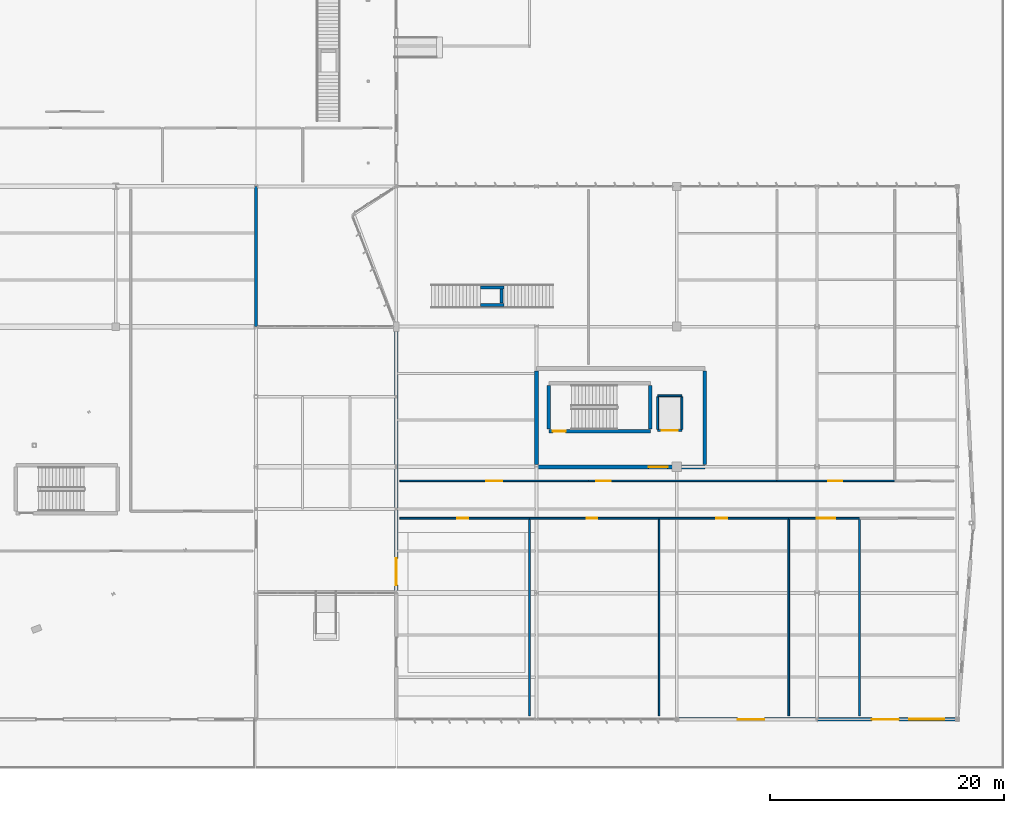
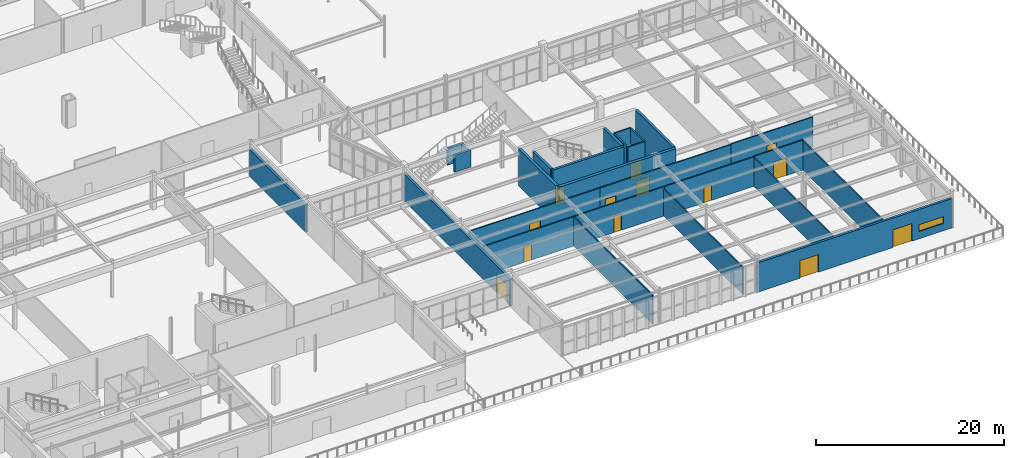
# One storey, part 167 of 199: 27 walls, 13 doors, 1 window, 14 openings.
"""IFC4 building model written with IfcOpenShell, lengths in metres."""

import ifcopenshell
import ifcopenshell.guid

model = None  # the IFC model being written
_history = None  # IfcOwnerHistory: only IFC2X3 demands one
_inside = {}  # id of a spatial element -> (the spatial element, [elements in it])
_under = {}  # id of a project, library or spatial element -> (it, [spatial elements below it])
_declared = {}  # id of a project -> (the project, [libraries it declares])
_typed = {}  # id of a type object -> (the type object, [elements of that type])
_made_of = {}  # id of a material, layer set ... -> (it, [elements and type objects made of it])


def new_model(schema):
    """Start an empty IFC model of exactly this schema.

    Asked for "IFC4X3", IfcOpenShell would pick the latest addendum, in which some entities
    have other attributes; the version numbers below select the first issue.
    IFC2X3 requires an IfcOwnerHistory on every rooted entity: one is made here for all.
    """
    global model, _history
    if schema == "IFC4X3":
        model = ifcopenshell.file(schema_version=(4, 3, 0, 0))
    else:
        model = ifcopenshell.file(schema=schema)
    _inside.clear()
    _under.clear()
    _declared.clear()
    _typed.clear()
    _made_of.clear()
    _history = None
    if model.schema == "IFC2X3":
        org = make("IfcOrganization", Name="unknown")
        user = make(
            "IfcPersonAndOrganization",
            ThePerson=make("IfcPerson", FamilyName="unknown"),
            TheOrganization=org,
        )
        app = make(
            "IfcApplication",
            ApplicationDeveloper=org,
            Version="unknown",
            ApplicationFullName="unknown",
            ApplicationIdentifier="unknown",
        )
        _history = make(
            "IfcOwnerHistory",
            OwningUser=user,
            OwningApplication=app,
            ChangeAction="ADDED",
            CreationDate=0,
        )
    return model


def make(cls, **values):
    """One entity of the class cls with the attributes given. An attribute that is None is left unset."""
    return model.create_entity(
        cls, **{name: value for name, value in values.items() if value is not None}
    )


def rooted(cls, **values):
    """An entity with a GlobalId (a new one), such as an element, a storey or a relation."""
    return make(cls, GlobalId=ifcopenshell.guid.new(), OwnerHistory=_history, **values)


def si_unit(unit_type, name, prefix=None):
    """IfcSIUnit, for example si_unit("LENGTHUNIT", "METRE", prefix="MILLI")."""
    return make("IfcSIUnit", UnitType=unit_type, Prefix=prefix, Name=name)


def assignment(units):
    """IfcUnitAssignment: the units of a project."""
    return None if units is None else make("IfcUnitAssignment", Units=units)


def point(xyz):
    """IfcCartesianPoint."""
    return None if xyz is None else make("IfcCartesianPoint", Coordinates=xyz)


def direction(xyz):
    """IfcDirection."""
    return None if xyz is None else make("IfcDirection", DirectionRatios=xyz)


def frame(location, z_axis=None, x_axis=None):
    """IfcAxis2Placement3D, a coordinate frame: its origin and axes. An axis left out is left unset."""
    return make(
        "IfcAxis2Placement3D",
        Location=point(location),
        Axis=direction(z_axis),
        RefDirection=direction(x_axis),
    )


def frame_2d(location, x_axis=None):
    """IfcAxis2Placement2D, a coordinate frame in the plane: its origin and x axis."""
    return make(
        "IfcAxis2Placement2D", Location=point(location), RefDirection=direction(x_axis)
    )


def origin():
    """The frame at (0, 0, 0) with its axes left unset."""
    return frame((0.0, 0.0, 0.0))


def place(relative_to, where):
    """IfcLocalPlacement: puts the frame where relative to a parent placement (None: the world)."""
    return make(
        "IfcLocalPlacement", PlacementRelTo=relative_to, RelativePlacement=where
    )


def context(
    kind, dimensions, precision=None, world=None, true_north=None, identifier=None
):
    """IfcGeometricRepresentationContext, for example the 3D "Model" context."""
    return make(
        "IfcGeometricRepresentationContext",
        ContextIdentifier=identifier,
        ContextType=kind,
        CoordinateSpaceDimension=dimensions,
        Precision=precision,
        WorldCoordinateSystem=world,
        TrueNorth=true_north,
    )


def subcontext(parent, identifier, kind, view, scale=None):
    """IfcGeometricRepresentationSubContext, for example "Body" below "Model"."""
    return make(
        "IfcGeometricRepresentationSubContext",
        ContextIdentifier=identifier,
        ContextType=kind,
        ParentContext=parent,
        TargetScale=scale,
        TargetView=view,
    )


def project(units=None, contexts=None):
    """IfcProject with its units and contexts."""
    return rooted(
        "IfcProject",
        Name="project",
        RepresentationContexts=contexts,
        UnitsInContext=assignment(units),
    )


def spatial(cls, under=None, at=None, **own):
    """A site, building, storey or space (cls), placed at a placement, below another one or the project."""
    s = rooted(cls, ObjectPlacement=at, **own)
    if under is not None:
        _under.setdefault(under.id(), (under, []))[1].append(s)
    return s


def profile(cls, at=None, kind="AREA", **sizes):
    """A parametric profile (cls). Its sizes go by their IFC names, for example OverallWidth=200.0."""
    return make(cls, ProfileType=kind, Position=at, **sizes)


def rectangle(**sizes):
    """IfcRectangleProfileDef."""
    return profile("IfcRectangleProfileDef", **sizes)


def extrude(swept, where, along, depth):
    """IfcExtrudedAreaSolid: the profile swept, set in the frame where, extruded along a direction by depth."""
    return make(
        "IfcExtrudedAreaSolid",
        SweptArea=swept,
        Position=where,
        ExtrudedDirection=direction(along),
        Depth=depth,
    )


def shape(context_of_items, identifier, shape_type, items):
    """IfcShapeRepresentation: the items that make up one representation, for example the "Body"."""
    return make(
        "IfcShapeRepresentation",
        ContextOfItems=context_of_items,
        RepresentationIdentifier=identifier,
        RepresentationType=shape_type,
        Items=items,
    )


def material(Name=None, Category=None):
    """IfcMaterial."""
    return make("IfcMaterial", Name=Name, Category=Category)


def layer(
    of_material, thickness, ventilated=None, Name=None, Category=None, Priority=None
):
    """IfcMaterialLayer: one layer of a wall or slab, of a material (None: an air gap)."""
    return make(
        "IfcMaterialLayer",
        Material=of_material,
        LayerThickness=thickness,
        IsVentilated=ventilated,
        Name=Name,
        Category=Category,
        Priority=Priority,
    )


def layer_set(layers, Name=None):
    """IfcMaterialLayerSet."""
    return make("IfcMaterialLayerSet", MaterialLayers=layers, LayerSetName=Name)


def made_of(thing, what):
    """Note that an element or type object is made of a material, layer set ...; save() writes the relation."""
    if what is not None:
        _made_of.setdefault(what.id(), (what, []))[1].append(thing)
    return thing


def type_object(cls, material=None, **own):
    """A type object (cls), such as IfcWallType, which elements share."""
    return made_of(rooted(cls, **own), material)


def element(
    cls,
    number,
    at=None,
    inside=None,
    cuts=None,
    type_object=None,
    material=None,
    context=None,
    identifier="Body",
    shape_type=None,
    held_by="IfcProductDefinitionShape",
    body=None,
    shapes=None,
    **own,
):
    """One element of the class cls, such as IfcWall. Its Tag is "e" and its number.

    at: its placement. inside: the storey or other place that contains it. cuts: it is an
    opening in that element (IfcRelVoidsElement). A single representation is given by context,
    identifier, shape_type and body (its items); several are given by shapes. held_by: the class
    of the entity that holds the representations. save() writes the other relations.
    """
    e = rooted(cls, Tag="e%d" % number, ObjectPlacement=at, **own)
    if body is not None:
        shapes = [shape(context, identifier, shape_type, body)]
    if shapes is not None:
        e.Representation = make(held_by, Representations=shapes)
    if inside is not None:
        _inside.setdefault(inside.id(), (inside, []))[1].append(e)
    if cuts is not None:
        rooted(
            "IfcRelVoidsElement", RelatingBuildingElement=cuts, RelatedOpeningElement=e
        )
    if type_object is not None:
        _typed.setdefault(type_object.id(), (type_object, []))[1].append(e)
    return made_of(e, material)


def fill(opening, filler):
    """IfcRelFillsElement: the door or window that sits in an opening."""
    return rooted(
        "IfcRelFillsElement",
        RelatingOpeningElement=opening,
        RelatedBuildingElement=filler,
    )


def aggregate(whole, parts):
    """IfcRelAggregates: a whole, such as a stair, and the parts it consists of."""
    return rooted("IfcRelAggregates", RelatingObject=whole, RelatedObjects=parts)


def save(model, path):
    """Write the relations noted so far, then the file.

    IfcRelAggregates (storeys below a building ...), IfcRelContainedInSpatialStructure (elements
    in a storey), IfcRelDefinesByType, IfcRelAssociatesMaterial and IfcRelDeclares: one each for
    every whole, place, type object, material and project.
    """
    for whole, parts in _under.values():
        aggregate(whole, parts)
    for where, things in _inside.values():
        rooted(
            "IfcRelContainedInSpatialStructure",
            RelatedElements=things,
            RelatingStructure=where,
        )
    for kind, things in _typed.values():
        rooted("IfcRelDefinesByType", RelatedObjects=things, RelatingType=kind)
    for what, things in _made_of.values():
        rooted("IfcRelAssociatesMaterial", RelatedObjects=things, RelatingMaterial=what)
    for by, libraries in _declared.values():
        rooted("IfcRelDeclares", RelatingContext=by, RelatedDefinitions=libraries)
    model.write(path)


model = new_model("IFC4")

# Units and contexts
model_context = context("Model", 3, precision=1e-05, world=origin(), true_north=direction((0.0, 1.0)))
body_context = subcontext(model_context, "Body", "Model", "MODEL_VIEW")
ifc_project = project(units=[si_unit("LENGTHUNIT", "METRE"), si_unit("AREAUNIT", "SQUARE_METRE"), si_unit("VOLUMEUNIT", "CUBIC_METRE"), si_unit("PLANEANGLEUNIT", "RADIAN"), si_unit("MASSUNIT", "GRAM", prefix="KILO")], contexts=[model_context])

# Site, building, storey
site_placement = place(None, origin())
site = spatial("IfcSite", under=ifc_project, at=site_placement, CompositionType="ELEMENT")
building_placement = place(site_placement, origin())
building = spatial("IfcBuilding", under=site, at=building_placement, Name="Tarnwether General Hospital", CompositionType="ELEMENT")
storey_placement = place(building_placement, origin())
storey = spatial("IfcBuildingStorey", under=building, at=storey_placement, Name="L00", CompositionType="ELEMENT", Elevation=0.0)

# Wall, openings, doors, window
ifc_material_1 = material(Name="Precast concrete 40 MPa", Category="concrete")
ifc_layer_1 = layer(ifc_material_1, 0.280029296875)
ifc_layer_set_1 = layer_set([ifc_layer_1], Name="Precast concrete 40 MPa")
wall_type_1 = type_object("IfcWallType", Name="WL-EX280", PredefinedType="STANDARD", material=ifc_layer_set_1)
wall_1_placement = place(storey_placement, frame((192.0, 0.0, 0.0), z_axis=(0.0, 0.0, 1.0), x_axis=(-1.0, 0.0, 0.0)))
wall_1 = element("IfcWall", 1, at=wall_1_placement, inside=storey, type_object=wall_type_1, Name="L00 South Street Wall EW-L00-0289", PredefinedType="STANDARD", context=body_context, shape_type="SweptSolid", body=[
    extrude(rectangle(XDim=24.0, YDim=0.280029296875, at=frame_2d((12.0, 0.0))), origin(), (0.0, 0.0, 1.0), 3.822998046875),
])
opening_1_placement = place(wall_1_placement, frame((5.0, 0.0, 0.0)))
opening_1 = element("IfcOpeningElement", 2, at=opening_1_placement, cuts=wall_1, Name="Opening ED-02", PredefinedType="OPENING", context=body_context, shape_type="SweptSolid", body=[
    extrude(rectangle(XDim=2.300048828125, YDim=2.300048828125, at=frame_2d((1.14990234375, 1.14990234375))), frame((0.0, 0.14990234375, 0.0), z_axis=(0.0, -1.0, 0.0), x_axis=(1.0, 0.0, 0.0)), (0.0, 0.0, 1.0), 0.300048828125),
])
opening_2_placement = place(wall_1_placement, frame((16.5, 0.0, 0.0)))
opening_2 = element("IfcOpeningElement", 3, at=opening_2_placement, cuts=wall_1, Name="Opening ED-02", PredefinedType="OPENING", context=body_context, shape_type="SweptSolid", body=[
    extrude(rectangle(XDim=2.300048828125, YDim=2.300048828125, at=frame_2d((1.14990234375, 1.14990234375))), frame((0.0, 0.14990234375, 0.0), z_axis=(0.0, -1.0, 0.0), x_axis=(1.0, 0.0, 0.0)), (0.0, 0.0, 1.0), 0.300048828125),
])
opening_3_placement = place(wall_1_placement, frame((1.10009765625, 0.0, 0.949951171875)))
opening_3 = element("IfcOpeningElement", 4, at=opening_3_placement, cuts=wall_1, Name="Opening W-20", PredefinedType="OPENING", context=body_context, shape_type="SweptSolid", body=[
    extrude(rectangle(XDim=3.0, YDim=0.89990234375, at=frame_2d((1.5, 0.449951171875))), frame((0.0, 0.14990234375, 0.0), z_axis=(0.0, -1.0, 0.0), x_axis=(1.0, 0.0, 0.0)), (0.0, 0.0, 1.0), 0.300048828125),
])
ifc_material_2 = material(Name="Anodised aluminium", Category="aluminium")
door_type_1 = type_object("IfcDoorType", Name="DR-EX02", OperationType="NOTDEFINED", PredefinedType="DOOR", material=ifc_material_2)
door_1_placement = place(opening_1_placement, origin())
door_1 = element("IfcDoor", 5, at=door_1_placement, inside=storey, type_object=door_type_1, Name="L00 South Final Exit A ED-L00-0019", OperationType="DOUBLE_DOOR_SINGLE_SWING", OverallHeight=2.300048828125, OverallWidth=2.300048828125, PredefinedType="DOOR", context=body_context, shape_type="SweptSolid", body=[
    extrude(rectangle(XDim=2.300048828125, YDim=2.300048828125, at=frame_2d((1.14990234375, 1.14990234375))), frame((0.0, 0.02490234375, 0.0), z_axis=(0.0, -1.0, 0.0), x_axis=(1.0, 0.0, 0.0)), (0.0, 0.0, 1.0), 0.050048828125),
])
fill(opening_1, door_1)
door_2_placement = place(opening_2_placement, origin())
door_2 = element("IfcDoor", 6, at=door_2_placement, inside=storey, type_object=door_type_1, Name="L00 South Final Exit B ED-L00-0020", OperationType="DOUBLE_DOOR_SINGLE_SWING", OverallHeight=2.300048828125, OverallWidth=2.300048828125, PredefinedType="DOOR", context=body_context, shape_type="SweptSolid", body=[
    extrude(rectangle(XDim=2.300048828125, YDim=2.300048828125, at=frame_2d((1.14990234375, 1.14990234375))), frame((0.0, 0.02490234375, 0.0), z_axis=(0.0, -1.0, 0.0), x_axis=(1.0, 0.0, 0.0)), (0.0, 0.0, 1.0), 0.050048828125),
])
fill(opening_2, door_2)
ifc_material_3 = material(Name="Double glazed low-E glass", Category="glass")
window_type = type_object("IfcWindowType", Name="WN-20", PartitioningType="TRIPLE_PANEL_VERTICAL", PredefinedType="WINDOW", material=ifc_material_3)
window_placement = place(opening_3_placement, origin())
window = element("IfcWindow", 7, at=window_placement, inside=storey, type_object=window_type, Name="Window WN-L00-0058", OverallHeight=0.89990234375, OverallWidth=3.0, PartitioningType="TRIPLE_PANEL_VERTICAL", PredefinedType="WINDOW", context=body_context, shape_type="SweptSolid", body=[
    extrude(rectangle(XDim=3.0, YDim=0.89990234375, at=frame_2d((1.5, 0.449951171875))), frame((0.0, 0.030029296875, 0.0), z_axis=(0.0, -1.0, 0.0), x_axis=(1.0, 0.0, 0.0)), (0.0, 0.0, 1.0), 0.06005859375),
])
fill(opening_3, window)

# Wall, opening, door
wall_2_placement = place(storey_placement, frame((144.0, 10.800048828125, 0.0), z_axis=(0.0, 0.0, 1.0), x_axis=(0.0, 1.0, 0.0)))
wall_2 = element("IfcWall", 8, at=wall_2_placement, inside=storey, type_object=wall_type_1, Name="L00 V6 West Court Wall EW-L00-0297", PredefinedType="STANDARD", context=body_context, shape_type="SweptSolid", body=[
    extrude(rectangle(XDim=22.800048828125, YDim=0.280029296875, at=frame_2d((11.39990234375, 0.0))), origin(), (0.0, 0.0, 1.0), 3.530029296875),
])
opening_4_placement = place(wall_2_placement, frame((0.675048828125, 0.0, 0.0)))
opening_4 = element("IfcOpeningElement", 9, at=opening_4_placement, cuts=wall_2, Name="Opening ED-02", PredefinedType="OPENING", context=body_context, shape_type="SweptSolid", body=[
    extrude(rectangle(XDim=2.300048828125, YDim=2.300048828125, at=frame_2d((1.14990234375, 1.14990234375))), frame((0.0, 0.14990234375, 0.0), z_axis=(0.0, -1.0, 0.0), x_axis=(1.0, 0.0, 0.0)), (0.0, 0.0, 1.0), 0.300048828125),
])
door_3_placement = place(opening_4_placement, origin())
door_3 = element("IfcDoor", 10, at=door_3_placement, inside=storey, type_object=door_type_1, Name="L00 Public Passage East Portal Door ED-L00-0028", OperationType="DOUBLE_DOOR_SINGLE_SWING", OverallHeight=2.300048828125, OverallWidth=2.300048828125, PredefinedType="DOOR", context=body_context, shape_type="SweptSolid", body=[
    extrude(rectangle(XDim=2.300048828125, YDim=2.300048828125, at=frame_2d((1.14990234375, 1.14990234375))), frame((0.0, 0.02490234375, 0.0), z_axis=(0.0, -1.0, 0.0), x_axis=(1.0, 0.0, 0.0)), (0.0, 0.0, 1.0), 0.050048828125),
])
fill(opening_4, door_3)

# Wall
wall_3_placement = place(storey_placement, frame((132.0, 45.60009765625, 0.0), z_axis=(0.0, 0.0, 1.0), x_axis=(0.0, -1.0, 0.0)))
element("IfcWall", 11, at=wall_3_placement, inside=storey, type_object=wall_type_1, Name="L00 V4 East Court Wall EW-L00-0298", PredefinedType="STANDARD", context=body_context, shape_type="SweptSolid", body=[
    extrude(rectangle(XDim=12.0, YDim=0.280029296875, at=frame_2d((6.0, 0.0))), origin(), (0.0, 0.0, 1.0), 3.530029296875),
])

# Wall, opening, door
ifc_material_4 = material(Name="Gypsum plasterboard")
ifc_layer_2 = layer(ifc_material_4, 0.139892578125)
ifc_layer_set_2 = layer_set([ifc_layer_2], Name="Gypsum plasterboard")
wall_type_2 = type_object("IfcWallType", Name="WL-PT140", PredefinedType="PARTITIONING", material=ifc_layer_set_2)
wall_4_placement = place(storey_placement, frame((144.300048828125, 17.199951171875, 0.0), z_axis=(0.0, 0.0, 1.0), x_axis=(1.0, 0.0, 0.0)))
wall_4 = element("IfcWall", 12, at=wall_4_placement, inside=storey, type_object=wall_type_2, Name="Interior Partition PT-L00-0130", PredefinedType="PARTITIONING", context=body_context, shape_type="SweptSolid", body=[
    extrude(rectangle(XDim=11.093994140625, YDim=0.139892578125, at=frame_2d((5.546875, 0.0))), origin(), (0.0, 0.0, 1.0), 3.818115234375),
])
opening_5_placement = place(wall_4_placement, frame((4.89697265625, 0.0, 0.0)))
opening_5 = element("IfcOpeningElement", 13, at=opening_5_placement, cuts=wall_4, Name="Opening D-10", PredefinedType="OPENING", context=body_context, shape_type="SweptSolid", body=[
    extrude(rectangle(XDim=0.9599609375, YDim=2.06005859375, at=frame_2d((0.47998046875, 1.030029296875))), frame((0.0, 0.080078125, 0.0), z_axis=(0.0, -1.0, 0.0), x_axis=(1.0, 0.0, 0.0)), (0.0, 0.0, 1.0), 0.159912109375),
])
ifc_material_5 = material(Name="Anodised aluminium", Category="aluminium")
door_type_2 = type_object("IfcDoorType", Name="DR-IN10", OperationType="NOTDEFINED", PredefinedType="DOOR", material=ifc_material_5)
door_4_placement = place(opening_5_placement, origin())
door_4 = element("IfcDoor", 14, at=door_4_placement, inside=storey, type_object=door_type_2, Name="Interior Door DR-L00-0073", OperationType="SINGLE_SWING_LEFT", OverallHeight=2.06005859375, OverallWidth=0.9599609375, PredefinedType="DOOR", context=body_context, shape_type="SweptSolid", body=[
    extrude(rectangle(XDim=0.9599609375, YDim=2.06005859375, at=frame_2d((0.47998046875, 1.030029296875))), frame((0.0, 0.02490234375, 0.0), z_axis=(0.0, -1.0, 0.0), x_axis=(1.0, 0.0, 0.0)), (0.0, 0.0, 1.0), 0.050048828125),
])
fill(opening_5, door_4)

# Wall
wall_5_placement = place(storey_placement, frame((155.39404296875, 0.300048828125, 0.0), z_axis=(0.0, 0.0, 1.0), x_axis=(0.0, 1.0, 0.0)))
element("IfcWall", 15, at=wall_5_placement, inside=storey, type_object=wall_type_2, Name="Interior Partition PT-L00-0131", PredefinedType="PARTITIONING", context=body_context, shape_type="SweptSolid", body=[
    extrude(rectangle(XDim=16.89990234375, YDim=0.139892578125, at=frame_2d((8.449951171875, 0.0))), origin(), (0.0, 0.0, 1.0), 3.780029296875),
])

# Wall, opening, door
wall_6_placement = place(storey_placement, frame((155.39404296875, 17.199951171875, 0.0), z_axis=(0.0, 0.0, 1.0), x_axis=(1.0, 0.0, 0.0)))
wall_6 = element("IfcWall", 16, at=wall_6_placement, inside=storey, type_object=wall_type_2, Name="Interior Partition PT-L00-0132", PredefinedType="PARTITIONING", context=body_context, shape_type="SweptSolid", body=[
    extrude(rectangle(XDim=11.093017578125, YDim=0.139892578125, at=frame_2d((5.54638671875, 0.0))), origin(), (0.0, 0.0, 1.0), 3.822998046875),
])
opening_6_placement = place(wall_6_placement, frame((4.89697265625, 0.0, 0.0)))
opening_6 = element("IfcOpeningElement", 17, at=opening_6_placement, cuts=wall_6, Name="Opening D-11", PredefinedType="OPENING", context=body_context, shape_type="SweptSolid", body=[
    extrude(rectangle(XDim=0.89990234375, YDim=2.10009765625, at=frame_2d((0.449951171875, 1.050048828125))), frame((0.0, 0.080078125, 0.0), z_axis=(0.0, -1.0, 0.0), x_axis=(1.0, 0.0, 0.0)), (0.0, 0.0, 1.0), 0.159912109375),
])
ifc_material_6 = material(Name="Anodised aluminium", Category="aluminium")
door_type_3 = type_object("IfcDoorType", Name="DR-IN11", OperationType="NOTDEFINED", PredefinedType="DOOR", material=ifc_material_6)
door_5_placement = place(opening_6_placement, origin())
door_5 = element("IfcDoor", 18, at=door_5_placement, inside=storey, type_object=door_type_3, Name="Interior Door DR-L00-0074", OperationType="SINGLE_SWING_RIGHT", OverallHeight=2.10009765625, OverallWidth=0.89990234375, PredefinedType="DOOR", context=body_context, shape_type="SweptSolid", body=[
    extrude(rectangle(XDim=0.89990234375, YDim=2.10009765625, at=frame_2d((0.449951171875, 1.050048828125))), frame((0.0, 0.02490234375, 0.0), z_axis=(0.0, -1.0, 0.0), x_axis=(1.0, 0.0, 0.0)), (0.0, 0.0, 1.0), 0.050048828125),
])
fill(opening_6, door_5)

# Wall
wall_7_placement = place(storey_placement, frame((166.487060546875, 0.300048828125, 0.0), z_axis=(0.0, 0.0, 1.0), x_axis=(0.0, 1.0, 0.0)))
element("IfcWall", 19, at=wall_7_placement, inside=storey, type_object=wall_type_2, Name="Interior Partition PT-L00-0133", PredefinedType="PARTITIONING", context=body_context, shape_type="SweptSolid", body=[
    extrude(rectangle(XDim=16.89990234375, YDim=0.139892578125, at=frame_2d((8.449951171875, 0.0))), origin(), (0.0, 0.0, 1.0), 3.530029296875),
])

# Wall, opening, door
wall_8_placement = place(storey_placement, frame((166.487060546875, 17.199951171875, 0.0), z_axis=(0.0, 0.0, 1.0), x_axis=(1.0, 0.0, 0.0)))
wall_8 = element("IfcWall", 20, at=wall_8_placement, inside=storey, type_object=wall_type_2, Name="Interior Partition PT-L00-0134", PredefinedType="PARTITIONING", context=body_context, shape_type="SweptSolid", body=[
    extrude(rectangle(XDim=11.093994140625, YDim=0.139892578125, at=frame_2d((5.546875, 0.0))), origin(), (0.0, 0.0, 1.0), 3.827880859375),
])
opening_7_placement = place(wall_8_placement, frame((4.89697265625, 0.0, 0.0)))
opening_7 = element("IfcOpeningElement", 21, at=opening_7_placement, cuts=wall_8, Name="Opening D-12", PredefinedType="OPENING", context=body_context, shape_type="SweptSolid", body=[
    extrude(rectangle(XDim=0.919921875, YDim=2.0400390625, at=frame_2d((0.4599609375, 1.02001953125))), frame((0.0, 0.080078125, 0.0), z_axis=(0.0, -1.0, 0.0), x_axis=(1.0, 0.0, 0.0)), (0.0, 0.0, 1.0), 0.159912109375),
])
ifc_material_7 = material(Name="Anodised aluminium", Category="aluminium")
door_type_4 = type_object("IfcDoorType", Name="DR-IN12", OperationType="NOTDEFINED", PredefinedType="DOOR", material=ifc_material_7)
door_6_placement = place(opening_7_placement, origin())
door_6 = element("IfcDoor", 22, at=door_6_placement, inside=storey, type_object=door_type_4, Name="Interior Door DR-L00-0075", OperationType="SINGLE_SWING_LEFT", OverallHeight=2.0400390625, OverallWidth=0.919921875, PredefinedType="DOOR", context=body_context, shape_type="SweptSolid", body=[
    extrude(rectangle(XDim=0.919921875, YDim=2.0400390625, at=frame_2d((0.4599609375, 1.02001953125))), frame((0.0, 0.02490234375, 0.0), z_axis=(0.0, -1.0, 0.0), x_axis=(1.0, 0.0, 0.0)), (0.0, 0.0, 1.0), 0.050048828125),
])
fill(opening_7, door_6)

# Wall
wall_9_placement = place(storey_placement, frame((177.5810546875, 0.300048828125, 0.0), z_axis=(0.0, 0.0, 1.0), x_axis=(0.0, 1.0, 0.0)))
element("IfcWall", 23, at=wall_9_placement, inside=storey, type_object=wall_type_2, Name="Interior Partition PT-L00-0135", PredefinedType="PARTITIONING", context=body_context, shape_type="SweptSolid", body=[
    extrude(rectangle(XDim=16.89990234375, YDim=0.139892578125, at=frame_2d((8.449951171875, 0.0))), origin(), (0.0, 0.0, 1.0), 3.738037109375),
])

# Wall, opening, door
wall_10_placement = place(storey_placement, frame((177.5810546875, 17.199951171875, 0.0), z_axis=(0.0, 0.0, 1.0), x_axis=(1.0, 0.0, 0.0)))
wall_10 = element("IfcWall", 24, at=wall_10_placement, inside=storey, type_object=wall_type_2, Name="Interior Partition PT-L00-0136", PredefinedType="PARTITIONING", context=body_context, shape_type="SweptSolid", body=[
    extrude(rectangle(XDim=6.051025390625, YDim=0.139892578125, at=frame_2d((3.025390625, 0.0))), origin(), (0.0, 0.0, 1.0), 3.89697265625),
])
opening_8_placement = place(wall_10_placement, frame((2.3759765625, 0.0, 0.0)))
opening_8 = element("IfcOpeningElement", 25, at=opening_8_placement, cuts=wall_10, Name="Opening SD-02", PredefinedType="OPENING", context=body_context, shape_type="SweptSolid", body=[
    extrude(rectangle(XDim=1.6201171875, YDim=2.300048828125, at=frame_2d((0.81005859375, 1.14990234375))), frame((0.0, 0.080078125, 0.0), z_axis=(0.0, -1.0, 0.0), x_axis=(1.0, 0.0, 0.0)), (0.0, 0.0, 1.0), 0.159912109375),
])
ifc_material_8 = material(Name="Anodised aluminium", Category="aluminium")
door_type_5 = type_object("IfcDoorType", Name="DR-OR02", OperationType="NOTDEFINED", PredefinedType="DOOR", material=ifc_material_8)
door_7_placement = place(opening_8_placement, origin())
door_7 = element("IfcDoor", 26, at=door_7_placement, inside=storey, type_object=door_type_5, Name="Interior Door DR-L00-0076", OperationType="SLIDING_TO_RIGHT", OverallHeight=2.300048828125, OverallWidth=1.6201171875, PredefinedType="DOOR", context=body_context, shape_type="SweptSolid", body=[
    extrude(rectangle(XDim=1.6201171875, YDim=2.300048828125, at=frame_2d((0.81005859375, 1.14990234375))), frame((0.0, 0.02490234375, 0.0), z_axis=(0.0, -1.0, 0.0), x_axis=(1.0, 0.0, 0.0)), (0.0, 0.0, 1.0), 0.050048828125),
])
fill(opening_8, door_7)

# Wall
wall_11_placement = place(storey_placement, frame((183.632080078125, 0.300048828125, 0.0), z_axis=(0.0, 0.0, 1.0), x_axis=(0.0, 1.0, 0.0)))
element("IfcWall", 27, at=wall_11_placement, inside=storey, type_object=wall_type_2, Name="Interior Partition PT-L00-0137", PredefinedType="PARTITIONING", context=body_context, shape_type="SweptSolid", body=[
    extrude(rectangle(XDim=16.89990234375, YDim=0.139892578125, at=frame_2d((8.449951171875, 0.0))), origin(), (0.0, 0.0, 1.0), 3.818115234375),
])

# Wall, opening, door
wall_12_placement = place(storey_placement, frame((144.300048828125, 20.39990234375, 0.0), z_axis=(0.0, 0.0, 1.0), x_axis=(1.0, 0.0, 0.0)))
wall_12 = element("IfcWall", 28, at=wall_12_placement, inside=storey, type_object=wall_type_2, Name="Interior Partition PT-L00-0139", PredefinedType="PARTITIONING", context=body_context, shape_type="SweptSolid", body=[
    extrude(rectangle(XDim=16.135986328125, YDim=0.139892578125, at=frame_2d((8.06787109375, 0.0))), origin(), (0.0, 0.0, 1.0), 3.818115234375),
])
opening_9_placement = place(wall_12_placement, frame((7.41796875, 0.0, 0.0)))
opening_9 = element("IfcOpeningElement", 29, at=opening_9_placement, cuts=wall_12, Name="Opening D-02", PredefinedType="OPENING", context=body_context, shape_type="SweptSolid", body=[
    extrude(rectangle(XDim=1.360107421875, YDim=2.179931640625, at=frame_2d((0.68017578125, 1.08984375))), frame((0.0, 0.080078125, 0.0), z_axis=(0.0, -1.0, 0.0), x_axis=(1.0, 0.0, 0.0)), (0.0, 0.0, 1.0), 0.159912109375),
])
ifc_material_9 = material(Name="Anodised aluminium", Category="aluminium")
door_type_6 = type_object("IfcDoorType", Name="DR-IN02", OperationType="NOTDEFINED", PredefinedType="DOOR", material=ifc_material_9)
door_8_placement = place(opening_9_placement, origin())
door_8 = element("IfcDoor", 30, at=door_8_placement, inside=storey, type_object=door_type_6, Name="Interior Door DR-L00-0078", OperationType="SINGLE_SWING_RIGHT", OverallHeight=2.179931640625, OverallWidth=1.360107421875, PredefinedType="DOOR", context=body_context, shape_type="SweptSolid", body=[
    extrude(rectangle(XDim=1.360107421875, YDim=2.179931640625, at=frame_2d((0.68017578125, 1.08984375))), frame((0.0, 0.02490234375, 0.0), z_axis=(0.0, -1.0, 0.0), x_axis=(1.0, 0.0, 0.0)), (0.0, 0.0, 1.0), 0.050048828125),
])
fill(opening_9, door_8)

wall_13_placement = place(storey_placement, frame((160.43603515625, 20.39990234375, 0.0), z_axis=(0.0, 0.0, 1.0), x_axis=(1.0, 0.0, 0.0)))
wall_13 = element("IfcWall", 31, at=wall_13_placement, inside=storey, type_object=wall_type_2, Name="Interior Partition PT-L00-0141", PredefinedType="PARTITIONING", context=body_context, shape_type="SweptSolid", body=[
    extrude(rectangle(XDim=16.135986328125, YDim=0.139892578125, at=frame_2d((8.06787109375, 0.0))), origin(), (0.0, 0.0, 1.0), 3.827880859375),
])
opening_10_placement = place(wall_13_placement, frame((0.676025390625, 0.0, 0.0)))
opening_10 = element("IfcOpeningElement", 32, at=opening_10_placement, cuts=wall_13, Name="Opening D-04", PredefinedType="OPENING", context=body_context, shape_type="SweptSolid", body=[
    extrude(rectangle(XDim=1.260009765625, YDim=2.139892578125, at=frame_2d((0.6298828125, 1.06982421875))), frame((0.0, 0.080078125, 0.0), z_axis=(0.0, -1.0, 0.0), x_axis=(1.0, 0.0, 0.0)), (0.0, 0.0, 1.0), 0.159912109375),
])
ifc_material_10 = material(Name="Anodised aluminium", Category="aluminium")
door_type_7 = type_object("IfcDoorType", Name="DR-IN04", OperationType="NOTDEFINED", PredefinedType="DOOR", material=ifc_material_10)
door_9_placement = place(opening_10_placement, origin())
door_9 = element("IfcDoor", 33, at=door_9_placement, inside=storey, type_object=door_type_7, Name="Interior Door DR-L00-0079", OperationType="SINGLE_SWING_LEFT", OverallHeight=2.139892578125, OverallWidth=1.260009765625, PredefinedType="DOOR", context=body_context, shape_type="SweptSolid", body=[
    extrude(rectangle(XDim=1.260009765625, YDim=2.139892578125, at=frame_2d((0.6298828125, 1.06982421875))), frame((0.0, 0.02490234375, 0.0), z_axis=(0.0, -1.0, 0.0), x_axis=(1.0, 0.0, 0.0)), (0.0, 0.0, 1.0), 0.050048828125),
])
fill(opening_10, door_9)

wall_14_placement = place(storey_placement, frame((176.572021484375, 20.39990234375, 0.0), z_axis=(0.0, 0.0, 1.0), x_axis=(1.0, 0.0, 0.0)))
wall_14 = element("IfcWall", 34, at=wall_14_placement, inside=storey, type_object=wall_type_2, Name="Interior Partition PT-L00-0143", PredefinedType="PARTITIONING", context=body_context, shape_type="SweptSolid", body=[
    extrude(rectangle(XDim=10.0849609375, YDim=0.139892578125, at=frame_2d((5.04248046875, 0.0))), origin(), (0.0, 0.0, 1.0), 3.89697265625),
])
opening_11_placement = place(wall_14_placement, frame((4.39306640625, 0.0, 0.0)))
opening_11 = element("IfcOpeningElement", 35, at=opening_11_placement, cuts=wall_14, Name="Opening D-05", PredefinedType="OPENING", context=body_context, shape_type="SweptSolid", body=[
    extrude(rectangle(XDim=1.199951171875, YDim=2.1201171875, at=frame_2d((0.60009765625, 1.06005859375))), frame((0.0, 0.080078125, 0.0), z_axis=(0.0, -1.0, 0.0), x_axis=(1.0, 0.0, 0.0)), (0.0, 0.0, 1.0), 0.159912109375),
])
ifc_material_11 = material(Name="Anodised aluminium", Category="aluminium")
door_type_8 = type_object("IfcDoorType", Name="DR-IN05", OperationType="NOTDEFINED", PredefinedType="DOOR", material=ifc_material_11)
door_10_placement = place(opening_11_placement, origin())
door_10 = element("IfcDoor", 36, at=door_10_placement, inside=storey, type_object=door_type_8, Name="Interior Door DR-L00-0080", OperationType="SINGLE_SWING_RIGHT", OverallHeight=2.1201171875, OverallWidth=1.199951171875, PredefinedType="DOOR", context=body_context, shape_type="SweptSolid", body=[
    extrude(rectangle(XDim=1.199951171875, YDim=2.1201171875, at=frame_2d((0.60009765625, 1.06005859375))), frame((0.0, 0.02490234375, 0.0), z_axis=(0.0, -1.0, 0.0), x_axis=(1.0, 0.0, 0.0)), (0.0, 0.0, 1.0), 0.050048828125),
])
fill(opening_11, door_10)

ifc_material_12 = material(Name="Gypsum plasterboard")
ifc_layer_3 = layer(ifc_material_12, 0.159912109375)
ifc_layer_set_3 = layer_set([ifc_layer_3], Name="Gypsum plasterboard")
wall_type_3 = type_object("IfcWallType", Name="WL-PT160", PredefinedType="PARTITIONING", material=ifc_layer_set_3)
wall_15_placement = place(storey_placement, frame((166.360107421875, 24.7099609375, 0.0), z_axis=(0.0, 0.0, 1.0), x_axis=(1.0, 0.0, 0.0)))
wall_15 = element("IfcWall", 37, at=wall_15_placement, inside=storey, type_object=wall_type_3, Name="Lift L-05 Shaft Wall LSH-L-05-L00-S", PredefinedType="PARTITIONING", context=body_context, shape_type="SweptSolid", body=[
    extrude(rectangle(XDim=2.079833984375, YDim=0.159912109375, at=frame_2d((1.0400390625, 0.0))), origin(), (0.0, 0.0, 1.0), 4.445068359375),
])
opening_12_placement = place(wall_15_placement, frame((0.340087890625, 0.0, 0.0)))
opening_12 = element("IfcOpeningElement", 38, at=opening_12_placement, cuts=wall_15, Name="Opening LD-01", PredefinedType="OPENING", context=body_context, shape_type="SweptSolid", body=[
    extrude(rectangle(XDim=1.39990234375, YDim=2.199951171875, at=frame_2d((0.699951171875, 1.10009765625))), frame((0.0, 0.08984375, 0.0), z_axis=(0.0, -1.0, 0.0), x_axis=(1.0, 0.0, 0.0)), (0.0, 0.0, 1.0), 0.179931640625),
])
ifc_material_13 = material(Name="Anodised aluminium", Category="aluminium")
door_type_9 = type_object("IfcDoorType", Name="DR-LD01", OperationType="NOTDEFINED", PredefinedType="DOOR", material=ifc_material_13)
door_11_placement = place(opening_12_placement, origin())
door_11 = element("IfcDoor", 39, at=door_11_placement, inside=storey, type_object=door_type_9, Name="Lift L-05 Sliding Landing Door L00", OperationType="SLIDING_TO_LEFT", OverallHeight=2.199951171875, OverallWidth=1.39990234375, PredefinedType="DOOR", context=body_context, shape_type="SweptSolid", body=[
    extrude(rectangle(XDim=1.39990234375, YDim=2.199951171875, at=frame_2d((0.699951171875, 1.10009765625))), frame((0.0, 0.02490234375, 0.0), z_axis=(0.0, -1.0, 0.0), x_axis=(1.0, 0.0, 0.0)), (0.0, 0.0, 1.0), 0.050048828125),
])
fill(opening_12, door_11)

# Walls
wall_16_placement = place(storey_placement, frame((168.43994140625, 27.68994140625, 0.0), z_axis=(0.0, 0.0, 1.0), x_axis=(-1.0, 0.0, 0.0)))
element("IfcWall", 40, at=wall_16_placement, inside=storey, type_object=wall_type_3, Name="Lift L-05 Shaft Wall LSH-L-05-L00-N", PredefinedType="PARTITIONING", context=body_context, shape_type="SweptSolid", body=[
    extrude(rectangle(XDim=2.079833984375, YDim=0.159912109375, at=frame_2d((1.0400390625, 0.0))), origin(), (0.0, 0.0, 1.0), 4.445068359375),
])
for number, where, z_axis, x_axis, name in (
    (41, (166.360107421875, 27.590087890625, 0.0), (0.0, 0.0, 1.0), (0.0, -1.0, 0.0), "Lift L-05 Shaft Wall LSH-L-05-L00-W"),
    (42, (168.43994140625, 24.81005859375, 0.0), (0.0, 0.0, 1.0), (0.0, 1.0, 0.0), "Lift L-05 Shaft Wall LSH-L-05-L00-E"),
):
    element("IfcWall", number, at=place(storey_placement, frame(where, z_axis=z_axis, x_axis=x_axis)), inside=storey, type_object=wall_type_3, Name=name, PredefinedType="PARTITIONING", context=body_context, shape_type="SweptSolid", body=[
        extrude(rectangle(XDim=2.780029296875, YDim=0.159912109375, at=frame_2d((1.39013671875, 0.0))), origin(), (0.0, 0.0, 1.0), 4.445068359375),
    ])
ifc_material_14 = material(Name="Concrete 50 MPa", Category="concrete")
ifc_layer_4 = layer(ifc_material_14, 0.25)
ifc_layer_set_4 = layer_set([ifc_layer_4], Name="Concrete 50 MPa")
wall_type_4 = type_object("IfcWallType", Name="WL-SW250", PredefinedType="SHEAR", material=ifc_layer_set_4)
for number, where, z_axis, x_axis, name in (
    (43, (151.199951171875, 35.449951171875, 0.0), (0.0, 0.0, 1.0), (1.0, 0.0, 0.0), "Feature Stair Support Fin Wall ST-13 L"),
    (44, (151.199951171875, 36.949951171875, 0.0), (0.0, 0.0, 1.0), (1.0, 0.0, 0.0), "Feature Stair Support Fin Wall ST-13 R"),
):
    element("IfcWall", number, at=place(storey_placement, frame(where, z_axis=z_axis, x_axis=x_axis)), inside=storey, type_object=wall_type_4, Name=name, PredefinedType="SHEAR", context=body_context, shape_type="SweptSolid", body=[
        extrude(rectangle(XDim=2.0, YDim=0.25, at=frame_2d((1.0, 0.0))), origin(), (0.0, 0.0, 1.0), 2.199951171875),
    ])
wall_17_placement = place(storey_placement, frame((153.0, 35.60009765625, 0.0), z_axis=(0.0, 0.0, 1.0), x_axis=(0.0, 1.0, 0.0)))
element("IfcWall", 45, at=wall_17_placement, inside=storey, type_object=wall_type_4, Name="Feature Stair Support Fin Wall ST-13 M", PredefinedType="SHEAR", context=body_context, shape_type="SweptSolid", body=[
    extrude(rectangle(XDim=1.199951171875, YDim=0.25, at=frame_2d((0.60009765625, 0.0))), origin(), (0.0, 0.0, 1.0), 2.199951171875),
])
ifc_material_15 = material(Name="Concrete 50 MPa", Category="concrete")
ifc_layer_5 = layer(ifc_material_15, 0.300048828125)
ifc_layer_set_5 = layer_set([ifc_layer_5], Name="Concrete 50 MPa")
wall_type_5 = type_object("IfcWallType", Name="WL-SW300", PredefinedType="SHEAR", material=ifc_layer_set_5)
wall_18_placement = place(storey_placement, frame((170.39990234375, 29.800048828125, 0.0), z_axis=(0.0, 0.0, 1.0), x_axis=(0.0, -1.0, 0.0)))
element("IfcWall", 46, at=wall_18_placement, inside=storey, type_object=wall_type_5, Name="Core Shear Wall CWALL-K5-L00-E", PredefinedType="SHEAR", context=body_context, shape_type="SweptSolid", body=[
    extrude(rectangle(XDim=8.0, YDim=0.300048828125, at=frame_2d((4.0, 0.0))), origin(), (0.0, 0.0, 1.0), 4.800048828125),
])

# Wall, opening, door
wall_19_placement = place(storey_placement, frame((157.050048828125, 24.64990234375, 0.0), z_axis=(0.0, 0.0, 1.0), x_axis=(1.0, 0.0, 0.0)))
wall_19 = element("IfcWall", 47, at=wall_19_placement, inside=storey, type_object=wall_type_5, Name="Stairwell Shear Wall STW-ST-05-L00-B", PredefinedType="SHEAR", context=body_context, shape_type="SweptSolid", body=[
    extrude(rectangle(XDim=8.699951171875, YDim=0.300048828125, at=frame_2d((4.35009765625, 0.0))), origin(), (0.0, 0.0, 1.0), 4.800048828125),
])
opening_13_placement = place(wall_19_placement, frame((0.35009765625, 0.0, 0.0)))
opening_13 = element("IfcOpeningElement", 48, at=opening_13_placement, cuts=wall_19, Name="Opening FD-06", PredefinedType="OPENING", context=body_context, shape_type="SweptSolid", body=[
    extrude(rectangle(XDim=1.10009765625, YDim=2.14990234375, at=frame_2d((0.550048828125, 1.074951171875))), frame((0.0, 0.16015625, 0.0), z_axis=(0.0, -1.0, 0.0), x_axis=(1.0, 0.0, 0.0)), (0.0, 0.0, 1.0), 0.320068359375),
])
ifc_material_16 = material(Name="Anodised aluminium", Category="aluminium")
door_type_10 = type_object("IfcDoorType", Name="DR-FD06", OperationType="NOTDEFINED", PredefinedType="DOOR", material=ifc_material_16)
door_12_placement = place(opening_13_placement, origin())
door_12 = element("IfcDoor", 49, at=door_12_placement, inside=storey, type_object=door_type_10, Name="Stairwell ST-05 Safe-Path Fire Door L00", OperationType="SINGLE_SWING_RIGHT", OverallHeight=2.14990234375, OverallWidth=1.10009765625, PredefinedType="DOOR", context=body_context, shape_type="SweptSolid", body=[
    extrude(rectangle(XDim=1.10009765625, YDim=2.14990234375, at=frame_2d((0.550048828125, 1.074951171875))), frame((0.0, 0.02490234375, 0.0), z_axis=(0.0, -1.0, 0.0), x_axis=(1.0, 0.0, 0.0)), (0.0, 0.0, 1.0), 0.050048828125),
])
fill(opening_13, door_12)

# Walls
for number, where, z_axis, x_axis, name in (
    (50, (157.050048828125, 24.820068359375, 0.0), (0.0, 0.0, 1.0), (0.0, 1.0, 0.0), "Stairwell Shear Wall STW-ST-05-L00-L"),
    (51, (165.75, 24.820068359375, 0.0), (0.0, 0.0, 1.0), (0.0, 1.0, 0.0), "Stairwell Shear Wall STW-ST-05-L00-F"),
):
    element("IfcWall", number, at=place(storey_placement, frame(where, z_axis=z_axis, x_axis=x_axis)), inside=storey, type_object=wall_type_5, Name=name, PredefinedType="SHEAR", context=body_context, shape_type="SweptSolid", body=[
        extrude(rectangle(XDim=3.760009765625, YDim=0.300048828125, at=frame_2d((1.8798828125, 0.0))), origin(), (0.0, 0.0, 1.0), 4.800048828125),
    ])

# Wall, opening, door
ifc_material_17 = material(Name="Concrete 50 MPa", Category="concrete")
ifc_layer_6 = layer(ifc_material_17, 0.35009765625)
ifc_layer_set_6 = layer_set([ifc_layer_6], Name="Concrete 50 MPa")
wall_type_6 = type_object("IfcWallType", Name="WL-SW350", PredefinedType="SHEAR", material=ifc_layer_set_6)
wall_20_placement = place(storey_placement, frame((170.39990234375, 21.60009765625, 0.0), z_axis=(0.0, 0.0, 1.0), x_axis=(-1.0, 0.0, 0.0)))
wall_20 = element("IfcWall", 52, at=wall_20_placement, inside=storey, type_object=wall_type_6, Name="Core Shear Wall CWALL-K5-L00-S", PredefinedType="SHEAR", context=body_context, shape_type="SweptSolid", body=[
    extrude(rectangle(XDim=14.39990234375, YDim=0.35009765625, at=frame_2d((7.199951171875, 0.0))), origin(), (0.0, 0.0, 1.0), 4.800048828125),
])
opening_14_placement = place(wall_20_placement, frame((3.172119140625, 0.0, 0.0)))
opening_14 = element("IfcOpeningElement", 53, at=opening_14_placement, cuts=wall_20, Name="Opening FD-01", PredefinedType="OPENING", context=body_context, shape_type="SweptSolid", body=[
    extrude(rectangle(XDim=1.639892578125, YDim=2.199951171875, at=frame_2d((0.81982421875, 1.10009765625))), frame((0.0, 0.18505859375, 0.0), z_axis=(0.0, -1.0, 0.0), x_axis=(1.0, 0.0, 0.0)), (0.0, 0.0, 1.0), 0.3701171875),
])
ifc_material_18 = material(Name="Anodised aluminium", Category="aluminium")
door_type_11 = type_object("IfcDoorType", Name="DR-FD01", OperationType="NOTDEFINED", PredefinedType="DOOR", material=ifc_material_18)
door_13_placement = place(opening_14_placement, origin())
door_13 = element("IfcDoor", 54, at=door_13_placement, inside=storey, type_object=door_type_11, Name="Core K5 Lobby Fire Door L00", OperationType="DOUBLE_DOOR_SINGLE_SWING", OverallHeight=2.199951171875, OverallWidth=1.639892578125, PredefinedType="DOOR", context=body_context, shape_type="SweptSolid", body=[
    extrude(rectangle(XDim=1.639892578125, YDim=2.199951171875, at=frame_2d((0.81982421875, 1.10009765625))), frame((0.0, 0.02490234375, 0.0), z_axis=(0.0, -1.0, 0.0), x_axis=(1.0, 0.0, 0.0)), (0.0, 0.0, 1.0), 0.050048828125),
])
fill(opening_14, door_13)

# Wall
wall_21_placement = place(storey_placement, frame((156.0, 21.800048828125, 0.0), z_axis=(0.0, 0.0, 1.0), x_axis=(0.0, 1.0, 0.0)))
element("IfcWall", 55, at=wall_21_placement, inside=storey, type_object=wall_type_6, Name="Core Shear Wall CWALL-K5-L00-W", PredefinedType="SHEAR", context=body_context, shape_type="SweptSolid", body=[
    extrude(rectangle(XDim=8.0, YDim=0.35009765625, at=frame_2d((4.0, 0.0))), origin(), (0.0, 0.0, 1.0), 4.800048828125),
])

save(model, "model.ifc")
